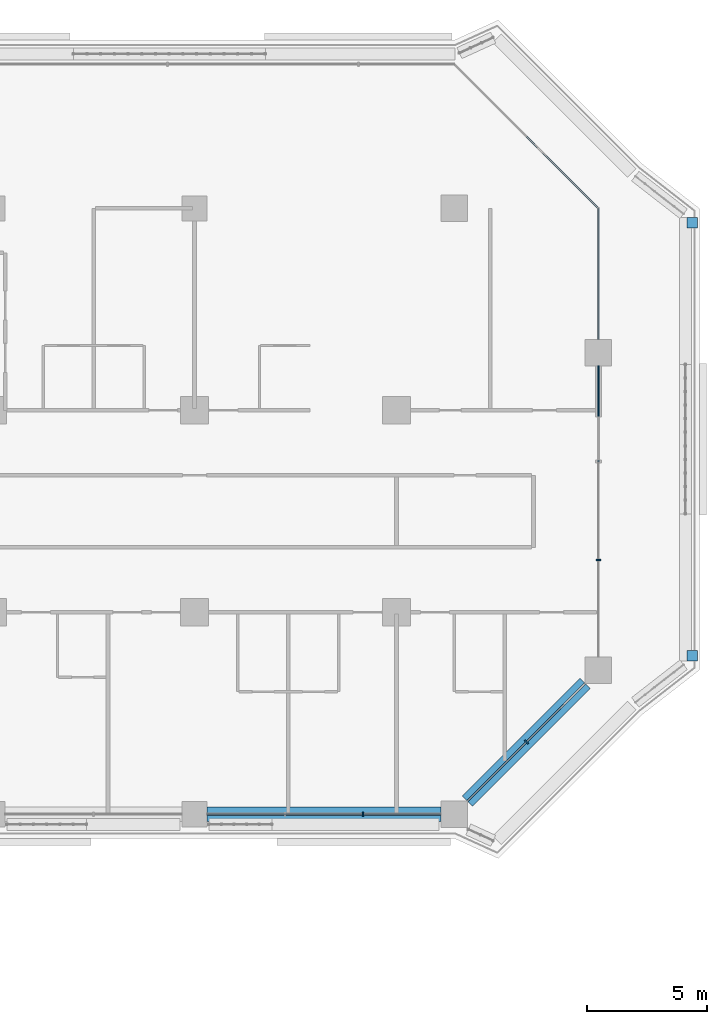
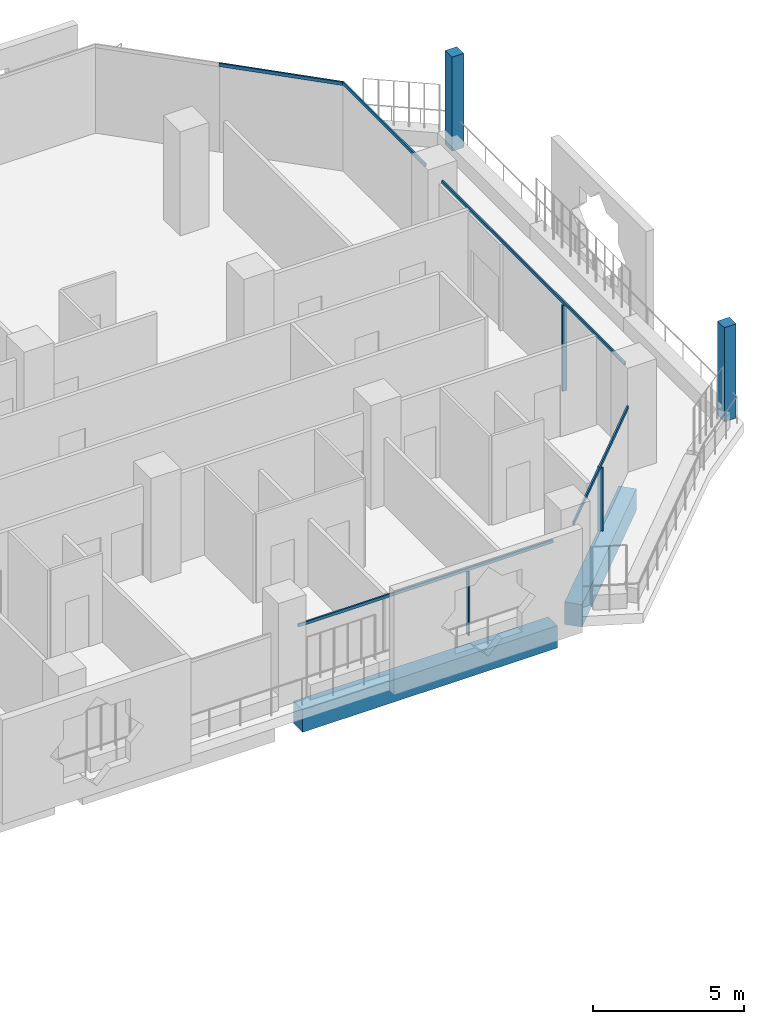
# One storey, part 7 of 25: 10 members, 2 beams, 5 elements without a shape of their own.
"""IFC4 building model written with IfcOpenShell, lengths in metres."""

from ifc_helpers import new_model, si_unit, direction, frame, origin, origin_2d, place, context, subcontext, project, spatial, rectangle, extrude, material, layer, layer_set, material_profile, profile_set, type_object, element, aggregate, save


model = new_model("IFC4")

# Units and contexts
model_context = context("Model", 3, precision=1e-05, world=origin(), true_north=direction((0.0, 1.0)))
body_context = subcontext(model_context, "Body", "Model", "MODEL_VIEW")
ifc_project = project(units=[si_unit("LENGTHUNIT", "METRE"), si_unit("AREAUNIT", "SQUARE_METRE"), si_unit("VOLUMEUNIT", "CUBIC_METRE"), si_unit("PLANEANGLEUNIT", "RADIAN"), si_unit("MASSUNIT", "GRAM", prefix="KILO")], contexts=[model_context])

# Site, building, storey
site_placement = place(None, origin())
site = spatial("IfcSite", under=ifc_project, at=site_placement, CompositionType="ELEMENT")
building_placement = place(site_placement, origin())
building = spatial("IfcBuilding", under=site, at=building_placement, Name="Kawkab Arch Medical Tower", CompositionType="ELEMENT")
storey_placement = place(building_placement, frame((0.0, 0.0, 136.60009765625)))
storey = spatial("IfcBuildingStorey", under=building, at=storey_placement, Name="L31", CompositionType="ELEMENT", Elevation=136.60009765625)

# Curtain wall, member
ifc_material_1 = material(Name="Bronze anodised aluminium curtain wall frame", Category="aluminium")
ifc_layer_1 = layer(ifc_material_1, 0.159912109375)
ifc_layer_set_1 = layer_set([ifc_layer_1], Name="Bronze anodised aluminium curtain wall frame")
curtain_wall_type_1 = type_object("IfcCurtainWallType", Name="CW1 ward curtain wall", PredefinedType="NOTDEFINED", material=ifc_layer_set_1)
placement = place(storey_placement, origin())
curtain_wall_1 = element("IfcCurtainWall", 1, at=placement, inside=storey, type_object=curtain_wall_type_1, Name="CW1 Ward curtain wall R07", PredefinedType="NOTDEFINED")
ifc_material_2 = material(Name="Bronze anodised aluminium curtain wall frame", Category="aluminium")
ifc_material_profile_1 = material_profile(ifc_material_2, rectangle(XDim=0.179931640625, YDim=0.06005859375, at=origin_2d()), Name="AL 60x180")
ifc_profile_set_1 = profile_set([ifc_material_profile_1], Name="Bronze anodised aluminium curtain wall frame")
member_type_1 = type_object("IfcMemberType", Name="CW1 mullion 60 x 180", PredefinedType="MULLION", material=ifc_profile_set_1)
member_1_placement = place(storey_placement, frame((65.808349609375, -25.199951171875, 0.0), z_axis=(0.0, 0.0, 1.0), x_axis=(0.0, 1.0, 0.0)))
member_1 = element("IfcMember", 2, at=member_1_placement, type_object=member_type_1, Name="CW1 mullion 4.2", PredefinedType="MULLION", context=body_context, shape_type="SweptSolid", body=[
    extrude(rectangle(XDim=0.179931640625, YDim=0.06005859375, at=origin_2d()), origin(), (0.0, 0.0, 1.0), 2.579833984375),
])

curtain_wall_2 = element("IfcCurtainWall", 3, at=placement, inside=storey, type_object=curtain_wall_type_1, Name="CW1 Ward curtain wall R09", PredefinedType="NOTDEFINED")
member_2_placement = place(storey_placement, frame((75.60009765625, -14.61669921875, 0.0), z_axis=(0.0, 0.0, 1.0), x_axis=(-1.0, 0.0, 0.0)))
member_2 = element("IfcMember", 4, at=member_2_placement, type_object=member_type_1, Name="CW1 mullion 1.1", PredefinedType="MULLION", context=body_context, shape_type="SweptSolid", body=[
    extrude(rectangle(XDim=0.179931640625, YDim=0.06005859375, at=origin_2d()), origin(), (0.0, 0.0, 1.0), 3.47998046875),
])

# Member
ifc_material_3 = material(Name="Bronze anodised aluminium curtain wall frame", Category="aluminium")
ifc_material_profile_2 = material_profile(ifc_material_3, rectangle(XDim=0.06005859375, YDim=0.1201171875, at=origin_2d()), Name="AL 60x120")
ifc_profile_set_2 = profile_set([ifc_material_profile_2], Name="Bronze anodised aluminium curtain wall frame")
member_type_2 = type_object("IfcMemberType", Name="CW1 transom 120 x 60", PredefinedType="USERDEFINED", material=ifc_profile_set_2)
member_3_placement = place(storey_placement, frame((59.324951171875, -25.199951171875, 2.639892578125), z_axis=(1.0, 0.0, 0.0), x_axis=(0.0, 1.0, 0.0)))
member_3 = element("IfcMember", 5, at=member_3_placement, type_object=member_type_2, Name="CW1 transom 4", ObjectType="TRANSOM", PredefinedType="USERDEFINED", context=body_context, shape_type="SweptSolid", body=[
    extrude(rectangle(XDim=0.06005859375, YDim=0.1201171875, at=origin_2d()), origin(), (0.0, 0.0, 1.0), 9.72509765625),
])

aggregate(curtain_wall_1, [member_3, member_1])

member_4_placement = place(storey_placement, frame((75.60009765625, -18.64990234375, 3.539794921875), z_axis=(0.0, 1.0, 0.0), x_axis=(-1.0, 0.0, 0.0)))
member_4 = element("IfcMember", 6, at=member_4_placement, type_object=member_type_2, Name="CW1 transom 1", ObjectType="TRANSOM", PredefinedType="USERDEFINED", context=body_context, shape_type="SweptSolid", body=[
    extrude(rectangle(XDim=0.06005859375, YDim=0.1201171875, at=origin_2d()), origin(), (0.0, 0.0, 1.0), 12.099853515625),
])

member_5_placement = place(storey_placement, frame((75.60009765625, -5.449951171875, 3.539794921875), z_axis=(0.0, 1.0, 0.0), x_axis=(-1.0, 0.0, 0.0)))
member_5 = element("IfcMember", 7, at=member_5_placement, type_object=member_type_2, Name="CW1 transom 2", ObjectType="TRANSOM", PredefinedType="USERDEFINED", context=body_context, shape_type="SweptSolid", body=[
    extrude(rectangle(XDim=0.06005859375, YDim=0.1201171875, at=origin_2d()), origin(), (0.0, 0.0, 1.0), 5.449951171875),
])

aggregate(curtain_wall_2, [member_4, member_2, member_5])

# Curtain wall, members
ifc_material_4 = material(Name="Bronze anodised aluminium curtain wall frame", Category="aluminium")
ifc_layer_2 = layer(ifc_material_4, 0.159912109375)
ifc_layer_set_2 = layer_set([ifc_layer_2], Name="Bronze anodised aluminium curtain wall frame")
curtain_wall_type_2 = type_object("IfcCurtainWallType", Name="CW2 chamfer curtain wall", PredefinedType="NOTDEFINED", material=ifc_layer_set_2)
curtain_wall_3 = element("IfcCurtainWall", 8, at=placement, inside=storey, type_object=curtain_wall_type_2, Name="CW2 Chamfer curtain wall R08", PredefinedType="NOTDEFINED")
ifc_material_5 = material(Name="Bronze anodised aluminium curtain wall frame", Category="aluminium")
ifc_material_profile_3 = material_profile(ifc_material_5, rectangle(XDim=0.199951171875, YDim=0.06005859375, at=origin_2d()), Name="AL 60x200")
ifc_profile_set_3 = profile_set([ifc_material_profile_3], Name="Bronze anodised aluminium curtain wall frame")
member_type_3 = type_object("IfcMemberType", Name="CW2 mullion 60 x 200", PredefinedType="MULLION", material=ifc_profile_set_3)
member_6_placement = place(storey_placement, frame((72.60009765625, -22.199951171875, 0.0), z_axis=(0.0, 0.0, 1.0), x_axis=(-0.707106781187, 0.707106781187, 0.0)))
member_6 = element("IfcMember", 9, at=member_6_placement, type_object=member_type_3, Name="CW2 mullion 1.1", PredefinedType="MULLION", context=body_context, shape_type="SweptSolid", body=[
    extrude(rectangle(XDim=0.199951171875, YDim=0.06005859375, at=origin_2d()), origin(), (0.0, 0.0, 1.0), 2.559814453125),
])
ifc_material_6 = material(Name="Bronze anodised aluminium curtain wall frame", Category="aluminium")
ifc_material_profile_4 = material_profile(ifc_material_6, rectangle(XDim=0.06005859375, YDim=0.139892578125, at=origin_2d()), Name="AL 60x140")
ifc_profile_set_4 = profile_set([ifc_material_profile_4], Name="Bronze anodised aluminium curtain wall frame")
member_type_4 = type_object("IfcMemberType", Name="CW2 transom 140 x 60", PredefinedType="USERDEFINED", material=ifc_profile_set_4)
member_7_placement = place(storey_placement, frame((70.14990234375, -24.64990234375, 2.6298828125), z_axis=(0.707124396542, 0.707089165393, 0.0), x_axis=(-0.707089165393, 0.707124396542, 0.0)))
member_7 = element("IfcMember", 10, at=member_7_placement, type_object=member_type_4, Name="CW2 transom 1", ObjectType="TRANSOM", PredefinedType="USERDEFINED", context=body_context, shape_type="SweptSolid", body=[
    extrude(rectangle(XDim=0.06005859375, YDim=0.139892578125, at=origin_2d()), origin(), (0.0, 0.0, 1.0), 6.9296875),
])
aggregate(curtain_wall_3, [member_7, member_6])

# Curtain wall, member
curtain_wall_4 = element("IfcCurtainWall", 11, at=placement, inside=storey, type_object=curtain_wall_type_2, Name="CW2 Chamfer curtain wall R10", PredefinedType="NOTDEFINED")
member_8_placement = place(storey_placement, frame((75.60009765625, 0.0, 3.52978515625), z_axis=(-0.707106781187, 0.707106781187, 0.0), x_axis=(-0.707106781187, -0.707106781187, 0.0)))
member_8 = element("IfcMember", 12, at=member_8_placement, type_object=member_type_4, Name="CW2 transom 1", ObjectType="TRANSOM", PredefinedType="USERDEFINED", context=body_context, shape_type="SweptSolid", body=[
    extrude(rectangle(XDim=0.06005859375, YDim=0.139892578125, at=origin_2d()), origin(), (0.0, 0.0, 1.0), 4.24267578125),
])
aggregate(curtain_wall_4, [member_8])

# Curtain wall, members
ifc_material_7 = material(Name="Bronze anodised aluminium climber frame, planted", Category="aluminium")
ifc_layer_3 = layer(ifc_material_7, 0.449951171875)
ifc_layer_set_3 = layer_set([ifc_layer_3], Name="Bronze anodised aluminium climber frame, planted")
curtain_wall_type_3 = type_object("IfcCurtainWallType", Name="Planted climber frame", PredefinedType="NOTDEFINED", material=ifc_layer_set_3)
curtain_wall_5 = element("IfcCurtainWall", 13, at=placement, inside=storey, type_object=curtain_wall_type_3, Name="Planted climber frame L31", PredefinedType="NOTDEFINED")
ifc_material_8 = material(Name="Bronze anodised aluminium climber frame, planted", Category="aluminium")
ifc_material_profile_5 = material_profile(ifc_material_8, rectangle(XDim=0.449951171875, YDim=0.449951171875, at=origin_2d()), Name="Post 450x450")
ifc_profile_set_5 = profile_set([ifc_material_profile_5], Name="Bronze anodised aluminium climber frame, planted")
member_type_5 = type_object("IfcMemberType", Name="Planted climber post 450 x 450", PredefinedType="MULLION", material=ifc_profile_set_5)
member_9_placement = place(storey_placement, frame((79.5, -0.596923828125, 0.0), z_axis=(0.0, 0.0, 1.0), x_axis=(1.0, 0.0, 0.0)))
member_9 = element("IfcMember", 14, at=member_9_placement, type_object=member_type_5, Name="Planted climber post L31.LOG-01-01.3", PredefinedType="MULLION", context=body_context, shape_type="SweptSolid", body=[
    extrude(rectangle(XDim=0.449951171875, YDim=0.449951171875, at=origin_2d()), origin(), (0.0, 0.0, 1.0), 3.7998046875),
])
member_10_placement = place(storey_placement, frame((79.5, -18.60302734375, 0.0), z_axis=(0.0, 0.0, 1.0), x_axis=(1.0, 0.0, 0.0)))
member_10 = element("IfcMember", 15, at=member_10_placement, type_object=member_type_5, Name="Planted climber post L31.LOG-01-01.4", PredefinedType="MULLION", context=body_context, shape_type="SweptSolid", body=[
    extrude(rectangle(XDim=0.449951171875, YDim=0.449951171875, at=origin_2d()), origin(), (0.0, 0.0, 1.0), 3.7998046875),
])
aggregate(curtain_wall_5, [member_9, member_10])

# Beams
ifc_material_9 = material(Name="Concrete C55/67", Category="concrete")
ifc_material_profile_6 = material_profile(ifc_material_9, rectangle(XDim=0.60009765625, YDim=0.89990234375, at=origin_2d()), Name="RC 600x900")
ifc_profile_set_6 = profile_set([ifc_material_profile_6], Name="Concrete C55/67")
beam_type = type_object("IfcBeamType", Name="RC 600x900 beam C55/67", PredefinedType="BEAM", material=ifc_profile_set_6)
beam_1_placement = place(storey_placement, frame((75.050048828125, -19.75, -1.050048828125), z_axis=(-0.707124396542, -0.707089165393, 0.0), x_axis=(0.707089165393, -0.707124396542, 0.0)))
element("IfcBeam", 16, at=beam_1_placement, inside=storey, type_object=beam_type, Name="Overhang edge beam L31-01", PredefinedType="BEAM", context=body_context, shape_type="SweptSolid", body=[
    extrude(rectangle(XDim=0.60009765625, YDim=0.89990234375, at=origin_2d()), origin(), (0.0, 0.0, 1.0), 6.9296875),
])
beam_2_placement = place(storey_placement, frame((69.050048828125, -25.199951171875, -1.050048828125), z_axis=(-1.0, 0.0, 0.0), x_axis=(0.0, -1.0, 0.0)))
element("IfcBeam", 17, at=beam_2_placement, inside=storey, type_object=beam_type, Name="Overhang edge beam L31-02", PredefinedType="BEAM", context=body_context, shape_type="SweptSolid", body=[
    extrude(rectangle(XDim=0.60009765625, YDim=0.89990234375, at=origin_2d()), origin(), (0.0, 0.0, 1.0), 9.72509765625),
])

save(model, "model.ifc")
